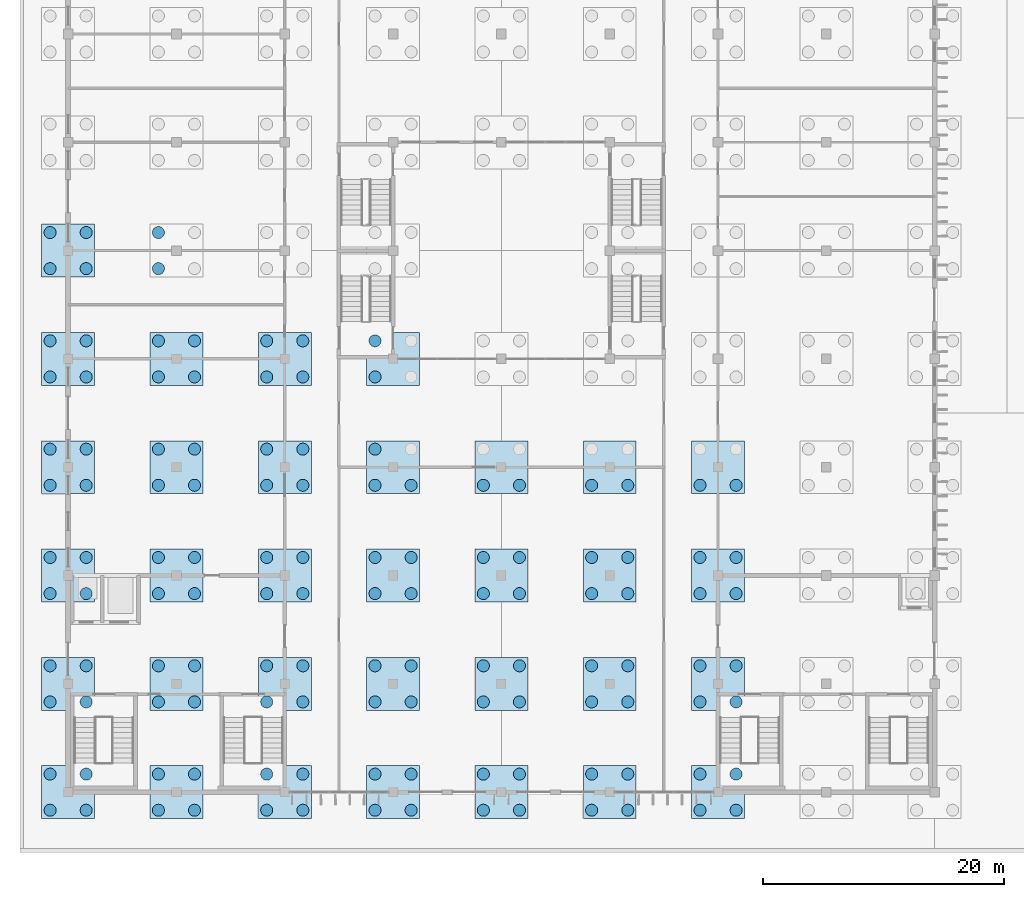
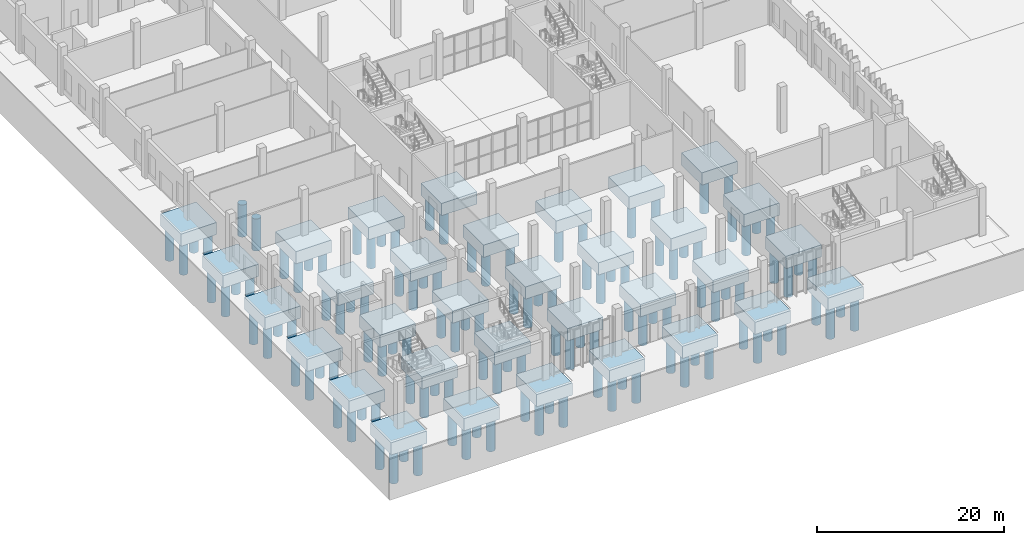
# One storey, part 1 of 198: 125 piles, 33 footings.
"""IFC4 building model written with IfcOpenShell, lengths in metres."""

from ifc_helpers import new_model, si_unit, direction, frame, origin, origin_2d, place, context, subcontext, project, spatial, polyline, circle, outline, extrude, material, layer, layer_set, material_profile, profile_set, type_object, element, save


model = new_model("IFC4")

# Units and contexts
model_context = context("Model", 3, precision=1e-05, world=origin(), true_north=direction((0.0, 1.0)))
body_context = subcontext(model_context, "Body", "Model", "MODEL_VIEW")
ifc_project = project(units=[si_unit("LENGTHUNIT", "METRE"), si_unit("AREAUNIT", "SQUARE_METRE"), si_unit("VOLUMEUNIT", "CUBIC_METRE"), si_unit("PLANEANGLEUNIT", "RADIAN"), si_unit("MASSUNIT", "GRAM", prefix="KILO")], contexts=[model_context])

# Site, building, storey
site_placement = place(None, origin())
site = spatial("IfcSite", under=ifc_project, at=site_placement, CompositionType="ELEMENT")
building_placement = place(site_placement, origin())
building = spatial("IfcBuilding", under=site, at=building_placement, Name="Opaline Strait Convention Centre", CompositionType="ELEMENT")
storey_placement = place(building_placement, origin())
storey = spatial("IfcBuildingStorey", under=building, at=storey_placement, Name="L00", CompositionType="ELEMENT", Elevation=0.0)

# Piles
ifc_material = material(Name="Concrete C35", Category="concrete")
ifc_material_profile = material_profile(ifc_material, circle(Radius=0.5, at=origin_2d()), Name="D1000")
ifc_profile_set = profile_set([ifc_material_profile], Name="Concrete C35")
pile_type = type_object("IfcPileType", Name="Bored pile D1000 L4.2 C35", PredefinedType="BORED", material=ifc_profile_set)
for number, where, z_axis, x_axis, name in (
    (1, (7.5, 7.5, -1.800048828125), (0.0, 0.0, -1.0), (1.0, 0.0, 0.0), "RPL1 pile 1 of cap at 9/9"),
    (2, (7.5, 10.5, -1.800048828125), (0.0, 0.0, -1.0), (1.0, 0.0, 0.0), "RPL1 pile 2 of cap at 9/9"),
    (3, (10.5, 7.5, -1.800048828125), (0.0, 0.0, -1.0), (1.0, 0.0, 0.0), "RPL1 pile 3 of cap at 9/9"),
    (4, (10.5, 10.5, -1.800048828125), (0.0, 0.0, -1.0), (1.0, 0.0, 0.0), "RPL1 pile 4 of cap at 9/9"),
    (5, (7.5, 16.5, -1.800048828125), (0.0, 0.0, -1.0), (1.0, 0.0, 0.0), "RPL1 pile 1 of cap at 9/18"),
    (6, (7.5, 19.5, -1.800048828125), (0.0, 0.0, -1.0), (1.0, 0.0, 0.0), "RPL1 pile 2 of cap at 9/18"),
    (7, (10.5, 16.5, -1.800048828125), (0.0, 0.0, -1.0), (1.0, 0.0, 0.0), "RPL1 pile 3 of cap at 9/18"),
    (8, (10.5, 19.5, -1.800048828125), (0.0, 0.0, -1.0), (1.0, 0.0, 0.0), "RPL1 pile 4 of cap at 9/18"),
    (9, (7.5, 25.5, -1.800048828125), (0.0, 0.0, -1.0), (1.0, 0.0, 0.0), "RPL1 pile 1 of cap at 9/27"),
    (10, (7.5, 28.5, -1.800048828125), (0.0, 0.0, -1.0), (1.0, 0.0, 0.0), "RPL1 pile 2 of cap at 9/27"),
    (11, (10.5, 25.5, -1.800048828125), (0.0, 0.0, -1.0), (1.0, 0.0, 0.0), "RPL1 pile 3 of cap at 9/27"),
    (12, (10.5, 28.5, -1.800048828125), (0.0, 0.0, -1.0), (1.0, 0.0, 0.0), "RPL1 pile 4 of cap at 9/27"),
    (13, (7.5, 34.5, -1.800048828125), (0.0, 0.0, -1.0), (1.0, 0.0, 0.0), "RPL1 pile 1 of cap at 9/36"),
    (14, (7.5, 37.5, -1.800048828125), (0.0, 0.0, -1.0), (1.0, 0.0, 0.0), "RPL1 pile 2 of cap at 9/36"),
    (15, (10.5, 34.5, -1.800048828125), (0.0, 0.0, -1.0), (1.0, 0.0, 0.0), "RPL1 pile 3 of cap at 9/36"),
    (16, (10.5, 37.5, -1.800048828125), (0.0, 0.0, -1.0), (1.0, 0.0, 0.0), "RPL1 pile 4 of cap at 9/36"),
    (17, (7.5, 43.5, -1.800048828125), (0.0, 0.0, -1.0), (1.0, 0.0, 0.0), "RPL1 pile 1 of cap at 9/45"),
    (18, (7.5, 46.5, -1.800048828125), (0.0, 0.0, -1.0), (1.0, 0.0, 0.0), "RPL1 pile 2 of cap at 9/45"),
    (19, (10.5, 43.5, -1.800048828125), (0.0, 0.0, -1.0), (1.0, 0.0, 0.0), "RPL1 pile 3 of cap at 9/45"),
    (20, (10.5, 46.5, -1.800048828125), (0.0, 0.0, -1.0), (1.0, 0.0, 0.0), "RPL1 pile 4 of cap at 9/45"),
    (21, (7.5, 52.5, -1.800048828125), (0.0, 0.0, -1.0), (1.0, 0.0, 0.0), "RPL1 pile 1 of cap at 9/54"),
    (22, (7.5, 55.5, -1.800048828125), (0.0, 0.0, -1.0), (1.0, 0.0, 0.0), "RPL1 pile 2 of cap at 9/54"),
    (23, (10.5, 52.5, -1.800048828125), (0.0, 0.0, -1.0), (1.0, 0.0, 0.0), "RPL1 pile 3 of cap at 9/54"),
    (24, (10.5, 55.5, -1.800048828125), (0.0, 0.0, -1.0), (1.0, 0.0, 0.0), "RPL1 pile 4 of cap at 9/54"),
    (25, (16.5, 7.5, -1.800048828125), (0.0, 0.0, -1.0), (1.0, 0.0, 0.0), "RPL1 pile 1 of cap at 18/9"),
    (26, (16.5, 10.5, -1.800048828125), (0.0, 0.0, -1.0), (1.0, 0.0, 0.0), "RPL1 pile 2 of cap at 18/9"),
    (27, (19.5, 7.5, -1.800048828125), (0.0, 0.0, -1.0), (1.0, 0.0, 0.0), "RPL1 pile 3 of cap at 18/9"),
    (28, (19.5, 10.5, -1.800048828125), (0.0, 0.0, -1.0), (1.0, 0.0, 0.0), "RPL1 pile 4 of cap at 18/9"),
    (29, (16.5, 16.5, -1.800048828125), (0.0, 0.0, -1.0), (1.0, 0.0, 0.0), "RPL1 pile 1 of cap at 18/18"),
    (30, (16.5, 19.5, -1.800048828125), (0.0, 0.0, -1.0), (1.0, 0.0, 0.0), "RPL1 pile 2 of cap at 18/18"),
    (31, (19.5, 16.5, -1.800048828125), (0.0, 0.0, -1.0), (1.0, 0.0, 0.0), "RPL1 pile 3 of cap at 18/18"),
    (32, (19.5, 19.5, -1.800048828125), (0.0, 0.0, -1.0), (1.0, 0.0, 0.0), "RPL1 pile 4 of cap at 18/18"),
    (33, (16.5, 25.5, -1.800048828125), (0.0, 0.0, -1.0), (1.0, 0.0, 0.0), "RPL1 pile 1 of cap at 18/27"),
    (34, (16.5, 28.5, -1.800048828125), (0.0, 0.0, -1.0), (1.0, 0.0, 0.0), "RPL1 pile 2 of cap at 18/27"),
    (35, (19.5, 25.5, -1.800048828125), (0.0, 0.0, -1.0), (1.0, 0.0, 0.0), "RPL1 pile 3 of cap at 18/27"),
    (36, (19.5, 28.5, -1.800048828125), (0.0, 0.0, -1.0), (1.0, 0.0, 0.0), "RPL1 pile 4 of cap at 18/27"),
    (37, (16.5, 34.5, -1.800048828125), (0.0, 0.0, -1.0), (1.0, 0.0, 0.0), "RPL1 pile 1 of cap at 18/36"),
    (38, (16.5, 37.5, -1.800048828125), (0.0, 0.0, -1.0), (1.0, 0.0, 0.0), "RPL1 pile 2 of cap at 18/36"),
    (39, (19.5, 34.5, -1.800048828125), (0.0, 0.0, -1.0), (1.0, 0.0, 0.0), "RPL1 pile 3 of cap at 18/36"),
    (40, (19.5, 37.5, -1.800048828125), (0.0, 0.0, -1.0), (1.0, 0.0, 0.0), "RPL1 pile 4 of cap at 18/36"),
    (41, (16.5, 43.5, -1.800048828125), (0.0, 0.0, -1.0), (1.0, 0.0, 0.0), "RPL1 pile 1 of cap at 18/45"),
    (42, (16.5, 46.5, -1.800048828125), (0.0, 0.0, -1.0), (1.0, 0.0, 0.0), "RPL1 pile 2 of cap at 18/45"),
    (43, (19.5, 43.5, -1.800048828125), (0.0, 0.0, -1.0), (1.0, 0.0, 0.0), "RPL1 pile 3 of cap at 18/45"),
    (44, (19.5, 46.5, -1.800048828125), (0.0, 0.0, -1.0), (1.0, 0.0, 0.0), "RPL1 pile 4 of cap at 18/45"),
    (45, (16.5, 52.5, -1.800048828125), (0.0, 0.0, -1.0), (1.0, 0.0, 0.0), "RPL1 pile 1 of cap at 18/54"),
    (46, (16.5, 55.5, -1.800048828125), (0.0, 0.0, -1.0), (1.0, 0.0, 0.0), "RPL1 pile 2 of cap at 18/54"),
    (47, (25.5, 7.5, -1.800048828125), (0.0, 0.0, -1.0), (1.0, 0.0, 0.0), "RPL1 pile 1 of cap at 27/9"),
    (48, (25.5, 10.5, -1.800048828125), (0.0, 0.0, -1.0), (1.0, 0.0, 0.0), "RPL1 pile 2 of cap at 27/9"),
    (49, (28.5, 7.5, -1.800048828125), (0.0, 0.0, -1.0), (1.0, 0.0, 0.0), "RPL1 pile 3 of cap at 27/9"),
    (50, (28.5, 10.5, -1.800048828125), (0.0, 0.0, -1.0), (1.0, 0.0, 0.0), "RPL1 pile 4 of cap at 27/9"),
    (51, (25.5, 16.5, -1.800048828125), (0.0, 0.0, -1.0), (1.0, 0.0, 0.0), "RPL1 pile 1 of cap at 27/18"),
    (52, (25.5, 19.5, -1.800048828125), (0.0, 0.0, -1.0), (1.0, 0.0, 0.0), "RPL1 pile 2 of cap at 27/18"),
    (53, (28.5, 16.5, -1.800048828125), (0.0, 0.0, -1.0), (1.0, 0.0, 0.0), "RPL1 pile 3 of cap at 27/18"),
    (54, (28.5, 19.5, -1.800048828125), (0.0, 0.0, -1.0), (1.0, 0.0, 0.0), "RPL1 pile 4 of cap at 27/18"),
    (55, (25.5, 25.5, -1.800048828125), (0.0, 0.0, -1.0), (1.0, 0.0, 0.0), "RPL1 pile 1 of cap at 27/27"),
    (56, (25.5, 28.5, -1.800048828125), (0.0, 0.0, -1.0), (1.0, 0.0, 0.0), "RPL1 pile 2 of cap at 27/27"),
    (57, (28.5, 25.5, -1.800048828125), (0.0, 0.0, -1.0), (1.0, 0.0, 0.0), "RPL1 pile 3 of cap at 27/27"),
    (58, (28.5, 28.5, -1.800048828125), (0.0, 0.0, -1.0), (1.0, 0.0, 0.0), "RPL1 pile 4 of cap at 27/27"),
    (59, (25.5, 34.5, -1.800048828125), (0.0, 0.0, -1.0), (1.0, 0.0, 0.0), "RPL1 pile 1 of cap at 27/36"),
    (60, (25.5, 37.5, -1.800048828125), (0.0, 0.0, -1.0), (1.0, 0.0, 0.0), "RPL1 pile 2 of cap at 27/36"),
    (61, (28.5, 34.5, -1.800048828125), (0.0, 0.0, -1.0), (1.0, 0.0, 0.0), "RPL1 pile 3 of cap at 27/36"),
    (62, (28.5, 37.5, -1.800048828125), (0.0, 0.0, -1.0), (1.0, 0.0, 0.0), "RPL1 pile 4 of cap at 27/36"),
    (63, (25.5, 43.5, -1.800048828125), (0.0, 0.0, -1.0), (1.0, 0.0, 0.0), "RPL1 pile 1 of cap at 27/45"),
    (64, (25.5, 46.5, -1.800048828125), (0.0, 0.0, -1.0), (1.0, 0.0, 0.0), "RPL1 pile 2 of cap at 27/45"),
    (65, (28.5, 43.5, -1.800048828125), (0.0, 0.0, -1.0), (1.0, 0.0, 0.0), "RPL1 pile 3 of cap at 27/45"),
    (66, (28.5, 46.5, -1.800048828125), (0.0, 0.0, -1.0), (1.0, 0.0, 0.0), "RPL1 pile 4 of cap at 27/45"),
    (67, (34.5, 7.5, -1.800048828125), (0.0, 0.0, -1.0), (1.0, 0.0, 0.0), "RPL1 pile 1 of cap at 36/9"),
    (68, (34.5, 10.5, -1.800048828125), (0.0, 0.0, -1.0), (1.0, 0.0, 0.0), "RPL1 pile 2 of cap at 36/9"),
    (69, (37.5, 7.5, -1.800048828125), (0.0, 0.0, -1.0), (1.0, 0.0, 0.0), "RPL1 pile 3 of cap at 36/9"),
    (70, (37.5, 10.5, -1.800048828125), (0.0, 0.0, -1.0), (1.0, 0.0, 0.0), "RPL1 pile 4 of cap at 36/9"),
    (71, (34.5, 16.5, -1.800048828125), (0.0, 0.0, -1.0), (1.0, 0.0, 0.0), "RPL1 pile 1 of cap at 36/18"),
    (72, (34.5, 19.5, -1.800048828125), (0.0, 0.0, -1.0), (1.0, 0.0, 0.0), "RPL1 pile 2 of cap at 36/18"),
    (73, (37.5, 16.5, -1.800048828125), (0.0, 0.0, -1.0), (1.0, 0.0, 0.0), "RPL1 pile 3 of cap at 36/18"),
    (74, (37.5, 19.5, -1.800048828125), (0.0, 0.0, -1.0), (1.0, 0.0, 0.0), "RPL1 pile 4 of cap at 36/18"),
    (75, (34.5, 25.5, -1.800048828125), (0.0, 0.0, -1.0), (1.0, 0.0, 0.0), "RPL1 pile 1 of cap at 36/27"),
    (76, (34.5, 28.5, -1.800048828125), (0.0, 0.0, -1.0), (1.0, 0.0, 0.0), "RPL1 pile 2 of cap at 36/27"),
    (77, (37.5, 25.5, -1.800048828125), (0.0, 0.0, -1.0), (1.0, 0.0, 0.0), "RPL1 pile 3 of cap at 36/27"),
    (78, (37.5, 28.5, -1.800048828125), (0.0, 0.0, -1.0), (1.0, 0.0, 0.0), "RPL1 pile 4 of cap at 36/27"),
    (79, (34.5, 34.5, -1.800048828125), (0.0, 0.0, -1.0), (1.0, 0.0, 0.0), "RPL1 pile 1 of cap at 36/36"),
    (80, (34.5, 37.5, -1.800048828125), (0.0, 0.0, -1.0), (1.0, 0.0, 0.0), "RPL1 pile 2 of cap at 36/36"),
    (81, (37.5, 34.5, -1.800048828125), (0.0, 0.0, -1.0), (1.0, 0.0, 0.0), "RPL1 pile 3 of cap at 36/36"),
    (82, (34.5, 43.5, -1.800048828125), (0.0, 0.0, -1.0), (1.0, 0.0, 0.0), "RPL1 pile 1 of cap at 36/45"),
    (83, (34.5, 46.5, -1.800048828125), (0.0, 0.0, -1.0), (1.0, 0.0, 0.0), "RPL1 pile 2 of cap at 36/45"),
    (84, (43.5, 7.5, -1.800048828125), (0.0, 0.0, -1.0), (1.0, 0.0, 0.0), "RPL1 pile 1 of cap at 45/9"),
    (85, (43.5, 10.5, -1.800048828125), (0.0, 0.0, -1.0), (1.0, 0.0, 0.0), "RPL1 pile 2 of cap at 45/9"),
    (86, (46.5, 7.5, -1.800048828125), (0.0, 0.0, -1.0), (1.0, 0.0, 0.0), "RPL1 pile 3 of cap at 45/9"),
    (87, (46.5, 10.5, -1.800048828125), (0.0, 0.0, -1.0), (1.0, 0.0, 0.0), "RPL1 pile 4 of cap at 45/9"),
    (88, (43.5, 16.5, -1.800048828125), (0.0, 0.0, -1.0), (1.0, 0.0, 0.0), "RPL1 pile 1 of cap at 45/18"),
    (89, (43.5, 19.5, -1.800048828125), (0.0, 0.0, -1.0), (1.0, 0.0, 0.0), "RPL1 pile 2 of cap at 45/18"),
    (90, (46.5, 16.5, -1.800048828125), (0.0, 0.0, -1.0), (1.0, 0.0, 0.0), "RPL1 pile 3 of cap at 45/18"),
    (91, (46.5, 19.5, -1.800048828125), (0.0, 0.0, -1.0), (1.0, 0.0, 0.0), "RPL1 pile 4 of cap at 45/18"),
    (92, (43.5, 25.5, -1.800048828125), (0.0, 0.0, -1.0), (1.0, 0.0, 0.0), "RPL1 pile 1 of cap at 45/27"),
    (93, (43.5, 28.5, -1.800048828125), (0.0, 0.0, -1.0), (1.0, 0.0, 0.0), "RPL1 pile 2 of cap at 45/27"),
    (94, (46.5, 25.5, -1.800048828125), (0.0, 0.0, -1.0), (1.0, 0.0, 0.0), "RPL1 pile 3 of cap at 45/27"),
    (95, (46.5, 28.5, -1.800048828125), (0.0, 0.0, -1.0), (1.0, 0.0, 0.0), "RPL1 pile 4 of cap at 45/27"),
    (96, (43.5, 34.5, -1.800048828125), (0.0, 0.0, -1.0), (1.0, 0.0, 0.0), "RPL1 pile 1 of cap at 45/36"),
    (97, (46.5, 34.5, -1.800048828125), (0.0, 0.0, -1.0), (1.0, 0.0, 0.0), "RPL1 pile 3 of cap at 45/36"),
    (98, (52.5, 7.5, -1.800048828125), (0.0, 0.0, -1.0), (1.0, 0.0, 0.0), "RPL1 pile 1 of cap at 54/9"),
    (99, (52.5, 10.5, -1.800048828125), (0.0, 0.0, -1.0), (1.0, 0.0, 0.0), "RPL1 pile 2 of cap at 54/9"),
    (100, (55.5, 7.5, -1.800048828125), (0.0, 0.0, -1.0), (1.0, 0.0, 0.0), "RPL1 pile 3 of cap at 54/9"),
    (101, (55.5, 10.5, -1.800048828125), (0.0, 0.0, -1.0), (1.0, 0.0, 0.0), "RPL1 pile 4 of cap at 54/9"),
    (102, (52.5, 16.5, -1.800048828125), (0.0, 0.0, -1.0), (1.0, 0.0, 0.0), "RPL1 pile 1 of cap at 54/18"),
    (103, (52.5, 19.5, -1.800048828125), (0.0, 0.0, -1.0), (1.0, 0.0, 0.0), "RPL1 pile 2 of cap at 54/18"),
    (104, (55.5, 16.5, -1.800048828125), (0.0, 0.0, -1.0), (1.0, 0.0, 0.0), "RPL1 pile 3 of cap at 54/18"),
    (105, (55.5, 19.5, -1.800048828125), (0.0, 0.0, -1.0), (1.0, 0.0, 0.0), "RPL1 pile 4 of cap at 54/18"),
    (106, (52.5, 25.5, -1.800048828125), (0.0, 0.0, -1.0), (1.0, 0.0, 0.0), "RPL1 pile 1 of cap at 54/27"),
    (107, (52.5, 28.5, -1.800048828125), (0.0, 0.0, -1.0), (1.0, 0.0, 0.0), "RPL1 pile 2 of cap at 54/27"),
    (108, (55.5, 25.5, -1.800048828125), (0.0, 0.0, -1.0), (1.0, 0.0, 0.0), "RPL1 pile 3 of cap at 54/27"),
    (109, (55.5, 28.5, -1.800048828125), (0.0, 0.0, -1.0), (1.0, 0.0, 0.0), "RPL1 pile 4 of cap at 54/27"),
    (110, (52.5, 34.5, -1.800048828125), (0.0, 0.0, -1.0), (1.0, 0.0, 0.0), "RPL1 pile 1 of cap at 54/36"),
    (111, (55.5, 34.5, -1.800048828125), (0.0, 0.0, -1.0), (1.0, 0.0, 0.0), "RPL1 pile 3 of cap at 54/36"),
    (112, (61.5, 7.5, -1.800048828125), (0.0, 0.0, -1.0), (1.0, 0.0, 0.0), "RPL1 pile 1 of cap at 63/9"),
    (113, (61.5, 10.5, -1.800048828125), (0.0, 0.0, -1.0), (1.0, 0.0, 0.0), "RPL1 pile 2 of cap at 63/9"),
    (114, (64.5, 7.5, -1.800048828125), (0.0, 0.0, -1.0), (1.0, 0.0, 0.0), "RPL1 pile 3 of cap at 63/9"),
    (115, (64.5, 10.5, -1.800048828125), (0.0, 0.0, -1.0), (1.0, 0.0, 0.0), "RPL1 pile 4 of cap at 63/9"),
    (116, (61.5, 16.5, -1.800048828125), (0.0, 0.0, -1.0), (1.0, 0.0, 0.0), "RPL1 pile 1 of cap at 63/18"),
    (117, (61.5, 19.5, -1.800048828125), (0.0, 0.0, -1.0), (1.0, 0.0, 0.0), "RPL1 pile 2 of cap at 63/18"),
    (118, (64.5, 16.5, -1.800048828125), (0.0, 0.0, -1.0), (1.0, 0.0, 0.0), "RPL1 pile 3 of cap at 63/18"),
    (119, (64.5, 19.5, -1.800048828125), (0.0, 0.0, -1.0), (1.0, 0.0, 0.0), "RPL1 pile 4 of cap at 63/18"),
    (120, (61.5, 25.5, -1.800048828125), (0.0, 0.0, -1.0), (1.0, 0.0, 0.0), "RPL1 pile 1 of cap at 63/27"),
    (121, (61.5, 28.5, -1.800048828125), (0.0, 0.0, -1.0), (1.0, 0.0, 0.0), "RPL1 pile 2 of cap at 63/27"),
    (122, (64.5, 25.5, -1.800048828125), (0.0, 0.0, -1.0), (1.0, 0.0, 0.0), "RPL1 pile 3 of cap at 63/27"),
    (123, (64.5, 28.5, -1.800048828125), (0.0, 0.0, -1.0), (1.0, 0.0, 0.0), "RPL1 pile 4 of cap at 63/27"),
    (124, (61.5, 34.5, -1.800048828125), (0.0, 0.0, -1.0), (1.0, 0.0, 0.0), "RPL1 pile 1 of cap at 63/36"),
    (125, (64.5, 34.5, -1.800048828125), (0.0, 0.0, -1.0), (1.0, 0.0, 0.0), "RPL1 pile 3 of cap at 63/36"),
):
    element("IfcPile", number, at=place(storey_placement, frame(where, z_axis=z_axis, x_axis=x_axis)), inside=storey, type_object=pile_type, Name=name, PredefinedType="BORED", context=body_context, shape_type="SweptSolid", body=[
        extrude(circle(Radius=0.5, at=origin_2d()), origin(), (0.0, 0.0, 1.0), 4.199951171875),
    ])

# Footings
ifc_layer = layer(ifc_material, 1.60009765625)
ifc_layer_set = layer_set([ifc_layer], Name="Concrete C35")
footing_type = type_object("IfcFootingType", Name="Pile cap 4400 x 4400 x 1600 C35", PredefinedType="PILE_CAP", material=ifc_layer_set)
footing_1_placement = place(storey_placement, frame((0.0, 0.0, -1.89990234375)))
element("IfcFooting", 126, at=footing_1_placement, inside=storey, type_object=footing_type, Name="RPC1 pile cap at 9/9", PredefinedType="PILE_CAP", context=body_context, shape_type="SweptSolid", body=[
    extrude(outline(polyline([(6.800048828125, 6.800048828125), (11.199951171875, 6.800048828125), (11.199951171875, 11.199951171875), (6.800048828125, 11.199951171875), (6.800048828125, 6.800048828125)])), origin(), (0.0, 0.0, 1.0), 1.599853515625),
])
footing_2_placement = place(storey_placement, frame((0.0, 0.0, -1.89990234375)))
element("IfcFooting", 127, at=footing_2_placement, inside=storey, type_object=footing_type, Name="RPC1 pile cap at 9/18", PredefinedType="PILE_CAP", context=body_context, shape_type="SweptSolid", body=[
    extrude(outline(polyline([(6.800048828125, 15.800048828125), (11.199951171875, 15.800048828125), (11.199951171875, 20.199951171875), (6.800048828125, 20.199951171875), (6.800048828125, 15.800048828125)])), origin(), (0.0, 0.0, 1.0), 1.599853515625),
])
footing_3_placement = place(storey_placement, frame((0.0, 0.0, -1.89990234375)))
element("IfcFooting", 128, at=footing_3_placement, inside=storey, type_object=footing_type, Name="RPC1 pile cap at 9/27", PredefinedType="PILE_CAP", context=body_context, shape_type="SweptSolid", body=[
    extrude(outline(polyline([(6.800048828125, 24.800048828125), (11.199951171875, 24.800048828125), (11.199951171875, 29.199951171875), (6.800048828125, 29.199951171875), (6.800048828125, 24.800048828125)])), origin(), (0.0, 0.0, 1.0), 1.599853515625),
])
footing_4_placement = place(storey_placement, frame((0.0, 0.0, -1.89990234375)))
element("IfcFooting", 129, at=footing_4_placement, inside=storey, type_object=footing_type, Name="RPC1 pile cap at 9/36", PredefinedType="PILE_CAP", context=body_context, shape_type="SweptSolid", body=[
    extrude(outline(polyline([(6.800048828125, 33.800048828125), (11.199951171875, 33.800048828125), (11.199951171875, 38.199951171875), (6.800048828125, 38.199951171875), (6.800048828125, 33.800048828125)])), origin(), (0.0, 0.0, 1.0), 1.599853515625),
])
footing_5_placement = place(storey_placement, frame((0.0, 0.0, -1.89990234375)))
element("IfcFooting", 130, at=footing_5_placement, inside=storey, type_object=footing_type, Name="RPC1 pile cap at 9/45", PredefinedType="PILE_CAP", context=body_context, shape_type="SweptSolid", body=[
    extrude(outline(polyline([(6.800048828125, 42.800048828125), (11.199951171875, 42.800048828125), (11.199951171875, 47.199951171875), (6.800048828125, 47.199951171875), (6.800048828125, 42.800048828125)])), origin(), (0.0, 0.0, 1.0), 1.599853515625),
])
footing_6_placement = place(storey_placement, frame((0.0, 0.0, -1.89990234375)))
element("IfcFooting", 131, at=footing_6_placement, inside=storey, type_object=footing_type, Name="RPC1 pile cap at 9/54", PredefinedType="PILE_CAP", context=body_context, shape_type="SweptSolid", body=[
    extrude(outline(polyline([(6.800048828125, 51.800048828125), (11.199951171875, 51.800048828125), (11.199951171875, 56.199951171875), (6.800048828125, 56.199951171875), (6.800048828125, 51.800048828125)])), origin(), (0.0, 0.0, 1.0), 1.599853515625),
])
footing_7_placement = place(storey_placement, frame((0.0, 0.0, -1.89990234375)))
element("IfcFooting", 132, at=footing_7_placement, inside=storey, type_object=footing_type, Name="RPC1 pile cap at 18/9", PredefinedType="PILE_CAP", context=body_context, shape_type="SweptSolid", body=[
    extrude(outline(polyline([(15.800048828125, 6.800048828125), (20.199951171875, 6.800048828125), (20.199951171875, 11.199951171875), (15.800048828125, 11.199951171875), (15.800048828125, 6.800048828125)])), origin(), (0.0, 0.0, 1.0), 1.599853515625),
])
footing_8_placement = place(storey_placement, frame((0.0, 0.0, -1.89990234375)))
element("IfcFooting", 133, at=footing_8_placement, inside=storey, type_object=footing_type, Name="RPC1 pile cap at 18/18", PredefinedType="PILE_CAP", context=body_context, shape_type="SweptSolid", body=[
    extrude(outline(polyline([(15.800048828125, 15.800048828125), (20.199951171875, 15.800048828125), (20.199951171875, 20.199951171875), (15.800048828125, 20.199951171875), (15.800048828125, 15.800048828125)])), origin(), (0.0, 0.0, 1.0), 1.599853515625),
])
footing_9_placement = place(storey_placement, frame((0.0, 0.0, -1.89990234375)))
element("IfcFooting", 134, at=footing_9_placement, inside=storey, type_object=footing_type, Name="RPC1 pile cap at 18/27", PredefinedType="PILE_CAP", context=body_context, shape_type="SweptSolid", body=[
    extrude(outline(polyline([(15.800048828125, 24.800048828125), (20.199951171875, 24.800048828125), (20.199951171875, 29.199951171875), (15.800048828125, 29.199951171875), (15.800048828125, 24.800048828125)])), origin(), (0.0, 0.0, 1.0), 1.599853515625),
])
footing_10_placement = place(storey_placement, frame((0.0, 0.0, -1.89990234375)))
element("IfcFooting", 135, at=footing_10_placement, inside=storey, type_object=footing_type, Name="RPC1 pile cap at 18/36", PredefinedType="PILE_CAP", context=body_context, shape_type="SweptSolid", body=[
    extrude(outline(polyline([(15.800048828125, 33.800048828125), (20.199951171875, 33.800048828125), (20.199951171875, 38.199951171875), (15.800048828125, 38.199951171875), (15.800048828125, 33.800048828125)])), origin(), (0.0, 0.0, 1.0), 1.599853515625),
])
footing_11_placement = place(storey_placement, frame((0.0, 0.0, -1.89990234375)))
element("IfcFooting", 136, at=footing_11_placement, inside=storey, type_object=footing_type, Name="RPC1 pile cap at 18/45", PredefinedType="PILE_CAP", context=body_context, shape_type="SweptSolid", body=[
    extrude(outline(polyline([(15.800048828125, 42.800048828125), (20.199951171875, 42.800048828125), (20.199951171875, 47.199951171875), (15.800048828125, 47.199951171875), (15.800048828125, 42.800048828125)])), origin(), (0.0, 0.0, 1.0), 1.599853515625),
])
footing_12_placement = place(storey_placement, frame((0.0, 0.0, -1.89990234375)))
element("IfcFooting", 137, at=footing_12_placement, inside=storey, type_object=footing_type, Name="RPC1 pile cap at 27/9", PredefinedType="PILE_CAP", context=body_context, shape_type="SweptSolid", body=[
    extrude(outline(polyline([(24.800048828125, 6.800048828125), (29.199951171875, 6.800048828125), (29.199951171875, 11.199951171875), (24.800048828125, 11.199951171875), (24.800048828125, 6.800048828125)])), origin(), (0.0, 0.0, 1.0), 1.599853515625),
])
footing_13_placement = place(storey_placement, frame((0.0, 0.0, -1.89990234375)))
element("IfcFooting", 138, at=footing_13_placement, inside=storey, type_object=footing_type, Name="RPC1 pile cap at 27/18", PredefinedType="PILE_CAP", context=body_context, shape_type="SweptSolid", body=[
    extrude(outline(polyline([(24.800048828125, 15.800048828125), (29.199951171875, 15.800048828125), (29.199951171875, 20.199951171875), (24.800048828125, 20.199951171875), (24.800048828125, 15.800048828125)])), origin(), (0.0, 0.0, 1.0), 1.599853515625),
])
footing_14_placement = place(storey_placement, frame((0.0, 0.0, -1.89990234375)))
element("IfcFooting", 139, at=footing_14_placement, inside=storey, type_object=footing_type, Name="RPC1 pile cap at 27/27", PredefinedType="PILE_CAP", context=body_context, shape_type="SweptSolid", body=[
    extrude(outline(polyline([(24.800048828125, 24.800048828125), (29.199951171875, 24.800048828125), (29.199951171875, 29.199951171875), (24.800048828125, 29.199951171875), (24.800048828125, 24.800048828125)])), origin(), (0.0, 0.0, 1.0), 1.599853515625),
])
footing_15_placement = place(storey_placement, frame((0.0, 0.0, -1.89990234375)))
element("IfcFooting", 140, at=footing_15_placement, inside=storey, type_object=footing_type, Name="RPC1 pile cap at 27/36", PredefinedType="PILE_CAP", context=body_context, shape_type="SweptSolid", body=[
    extrude(outline(polyline([(24.800048828125, 33.800048828125), (29.199951171875, 33.800048828125), (29.199951171875, 38.199951171875), (24.800048828125, 38.199951171875), (24.800048828125, 33.800048828125)])), origin(), (0.0, 0.0, 1.0), 1.599853515625),
])
footing_16_placement = place(storey_placement, frame((0.0, 0.0, -1.89990234375)))
element("IfcFooting", 141, at=footing_16_placement, inside=storey, type_object=footing_type, Name="RPC1 pile cap at 27/45", PredefinedType="PILE_CAP", context=body_context, shape_type="SweptSolid", body=[
    extrude(outline(polyline([(24.800048828125, 42.800048828125), (29.199951171875, 42.800048828125), (29.199951171875, 47.199951171875), (24.800048828125, 47.199951171875), (24.800048828125, 42.800048828125)])), origin(), (0.0, 0.0, 1.0), 1.599853515625),
])
footing_17_placement = place(storey_placement, frame((0.0, 0.0, -1.89990234375)))
element("IfcFooting", 142, at=footing_17_placement, inside=storey, type_object=footing_type, Name="RPC1 pile cap at 36/9", PredefinedType="PILE_CAP", context=body_context, shape_type="SweptSolid", body=[
    extrude(outline(polyline([(33.800048828125, 6.800048828125), (38.199951171875, 6.800048828125), (38.199951171875, 11.199951171875), (33.800048828125, 11.199951171875), (33.800048828125, 6.800048828125)])), origin(), (0.0, 0.0, 1.0), 1.599853515625),
])
footing_18_placement = place(storey_placement, frame((0.0, 0.0, -1.89990234375)))
element("IfcFooting", 143, at=footing_18_placement, inside=storey, type_object=footing_type, Name="RPC1 pile cap at 36/18", PredefinedType="PILE_CAP", context=body_context, shape_type="SweptSolid", body=[
    extrude(outline(polyline([(33.800048828125, 15.800048828125), (38.199951171875, 15.800048828125), (38.199951171875, 20.199951171875), (33.800048828125, 20.199951171875), (33.800048828125, 15.800048828125)])), origin(), (0.0, 0.0, 1.0), 1.599853515625),
])
footing_19_placement = place(storey_placement, frame((0.0, 0.0, -1.89990234375)))
element("IfcFooting", 144, at=footing_19_placement, inside=storey, type_object=footing_type, Name="RPC1 pile cap at 36/27", PredefinedType="PILE_CAP", context=body_context, shape_type="SweptSolid", body=[
    extrude(outline(polyline([(33.800048828125, 24.800048828125), (38.199951171875, 24.800048828125), (38.199951171875, 29.199951171875), (33.800048828125, 29.199951171875), (33.800048828125, 24.800048828125)])), origin(), (0.0, 0.0, 1.0), 1.599853515625),
])
footing_20_placement = place(storey_placement, frame((0.0, 0.0, -1.89990234375)))
element("IfcFooting", 145, at=footing_20_placement, inside=storey, type_object=footing_type, Name="RPC1 pile cap at 36/36", PredefinedType="PILE_CAP", context=body_context, shape_type="SweptSolid", body=[
    extrude(outline(polyline([(33.800048828125, 33.800048828125), (38.199951171875, 33.800048828125), (38.199951171875, 38.199951171875), (33.800048828125, 38.199951171875), (33.800048828125, 33.800048828125)])), origin(), (0.0, 0.0, 1.0), 1.599853515625),
])
footing_21_placement = place(storey_placement, frame((0.0, 0.0, -1.89990234375)))
element("IfcFooting", 146, at=footing_21_placement, inside=storey, type_object=footing_type, Name="RPC1 pile cap at 36/45", PredefinedType="PILE_CAP", context=body_context, shape_type="SweptSolid", body=[
    extrude(outline(polyline([(33.800048828125, 42.800048828125), (38.199951171875, 42.800048828125), (38.199951171875, 47.199951171875), (33.800048828125, 47.199951171875), (33.800048828125, 42.800048828125)])), origin(), (0.0, 0.0, 1.0), 1.599853515625),
])
footing_22_placement = place(storey_placement, frame((0.0, 0.0, -1.89990234375)))
element("IfcFooting", 147, at=footing_22_placement, inside=storey, type_object=footing_type, Name="RPC1 pile cap at 45/9", PredefinedType="PILE_CAP", context=body_context, shape_type="SweptSolid", body=[
    extrude(outline(polyline([(42.800048828125, 6.800048828125), (47.199951171875, 6.800048828125), (47.199951171875, 11.199951171875), (42.800048828125, 11.199951171875), (42.800048828125, 6.800048828125)])), origin(), (0.0, 0.0, 1.0), 1.599853515625),
])
footing_23_placement = place(storey_placement, frame((0.0, 0.0, -1.89990234375)))
element("IfcFooting", 148, at=footing_23_placement, inside=storey, type_object=footing_type, Name="RPC1 pile cap at 45/18", PredefinedType="PILE_CAP", context=body_context, shape_type="SweptSolid", body=[
    extrude(outline(polyline([(42.800048828125, 15.800048828125), (47.199951171875, 15.800048828125), (47.199951171875, 20.199951171875), (42.800048828125, 20.199951171875), (42.800048828125, 15.800048828125)])), origin(), (0.0, 0.0, 1.0), 1.599853515625),
])
footing_24_placement = place(storey_placement, frame((0.0, 0.0, -1.89990234375)))
element("IfcFooting", 149, at=footing_24_placement, inside=storey, type_object=footing_type, Name="RPC1 pile cap at 45/27", PredefinedType="PILE_CAP", context=body_context, shape_type="SweptSolid", body=[
    extrude(outline(polyline([(42.800048828125, 24.800048828125), (47.199951171875, 24.800048828125), (47.199951171875, 29.199951171875), (42.800048828125, 29.199951171875), (42.800048828125, 24.800048828125)])), origin(), (0.0, 0.0, 1.0), 1.599853515625),
])
footing_25_placement = place(storey_placement, frame((0.0, 0.0, -1.89990234375)))
element("IfcFooting", 150, at=footing_25_placement, inside=storey, type_object=footing_type, Name="RPC1 pile cap at 45/36", PredefinedType="PILE_CAP", context=body_context, shape_type="SweptSolid", body=[
    extrude(outline(polyline([(42.800048828125, 33.800048828125), (47.199951171875, 33.800048828125), (47.199951171875, 38.199951171875), (42.800048828125, 38.199951171875), (42.800048828125, 33.800048828125)])), origin(), (0.0, 0.0, 1.0), 1.599853515625),
])
footing_26_placement = place(storey_placement, frame((0.0, 0.0, -1.89990234375)))
element("IfcFooting", 151, at=footing_26_placement, inside=storey, type_object=footing_type, Name="RPC1 pile cap at 54/9", PredefinedType="PILE_CAP", context=body_context, shape_type="SweptSolid", body=[
    extrude(outline(polyline([(51.800048828125, 6.800048828125), (56.199951171875, 6.800048828125), (56.199951171875, 11.199951171875), (51.800048828125, 11.199951171875), (51.800048828125, 6.800048828125)])), origin(), (0.0, 0.0, 1.0), 1.599853515625),
])
footing_27_placement = place(storey_placement, frame((0.0, 0.0, -1.89990234375)))
element("IfcFooting", 152, at=footing_27_placement, inside=storey, type_object=footing_type, Name="RPC1 pile cap at 54/18", PredefinedType="PILE_CAP", context=body_context, shape_type="SweptSolid", body=[
    extrude(outline(polyline([(51.800048828125, 15.800048828125), (56.199951171875, 15.800048828125), (56.199951171875, 20.199951171875), (51.800048828125, 20.199951171875), (51.800048828125, 15.800048828125)])), origin(), (0.0, 0.0, 1.0), 1.599853515625),
])
footing_28_placement = place(storey_placement, frame((0.0, 0.0, -1.89990234375)))
element("IfcFooting", 153, at=footing_28_placement, inside=storey, type_object=footing_type, Name="RPC1 pile cap at 54/27", PredefinedType="PILE_CAP", context=body_context, shape_type="SweptSolid", body=[
    extrude(outline(polyline([(51.800048828125, 24.800048828125), (56.199951171875, 24.800048828125), (56.199951171875, 29.199951171875), (51.800048828125, 29.199951171875), (51.800048828125, 24.800048828125)])), origin(), (0.0, 0.0, 1.0), 1.599853515625),
])
footing_29_placement = place(storey_placement, frame((0.0, 0.0, -1.89990234375)))
element("IfcFooting", 154, at=footing_29_placement, inside=storey, type_object=footing_type, Name="RPC1 pile cap at 54/36", PredefinedType="PILE_CAP", context=body_context, shape_type="SweptSolid", body=[
    extrude(outline(polyline([(51.800048828125, 33.800048828125), (56.199951171875, 33.800048828125), (56.199951171875, 38.199951171875), (51.800048828125, 38.199951171875), (51.800048828125, 33.800048828125)])), origin(), (0.0, 0.0, 1.0), 1.599853515625),
])
footing_30_placement = place(storey_placement, frame((0.0, 0.0, -1.89990234375)))
element("IfcFooting", 155, at=footing_30_placement, inside=storey, type_object=footing_type, Name="RPC1 pile cap at 63/9", PredefinedType="PILE_CAP", context=body_context, shape_type="SweptSolid", body=[
    extrude(outline(polyline([(60.800048828125, 6.800048828125), (65.199951171875, 6.800048828125), (65.199951171875, 11.199951171875), (60.800048828125, 11.199951171875), (60.800048828125, 6.800048828125)])), origin(), (0.0, 0.0, 1.0), 1.599853515625),
])
footing_31_placement = place(storey_placement, frame((0.0, 0.0, -1.89990234375)))
element("IfcFooting", 156, at=footing_31_placement, inside=storey, type_object=footing_type, Name="RPC1 pile cap at 63/18", PredefinedType="PILE_CAP", context=body_context, shape_type="SweptSolid", body=[
    extrude(outline(polyline([(60.800048828125, 15.800048828125), (65.199951171875, 15.800048828125), (65.199951171875, 20.199951171875), (60.800048828125, 20.199951171875), (60.800048828125, 15.800048828125)])), origin(), (0.0, 0.0, 1.0), 1.599853515625),
])
footing_32_placement = place(storey_placement, frame((0.0, 0.0, -1.89990234375)))
element("IfcFooting", 157, at=footing_32_placement, inside=storey, type_object=footing_type, Name="RPC1 pile cap at 63/27", PredefinedType="PILE_CAP", context=body_context, shape_type="SweptSolid", body=[
    extrude(outline(polyline([(60.800048828125, 24.800048828125), (65.199951171875, 24.800048828125), (65.199951171875, 29.199951171875), (60.800048828125, 29.199951171875), (60.800048828125, 24.800048828125)])), origin(), (0.0, 0.0, 1.0), 1.599853515625),
])
footing_33_placement = place(storey_placement, frame((0.0, 0.0, -1.89990234375)))
element("IfcFooting", 158, at=footing_33_placement, inside=storey, type_object=footing_type, Name="RPC1 pile cap at 63/36", PredefinedType="PILE_CAP", context=body_context, shape_type="SweptSolid", body=[
    extrude(outline(polyline([(60.800048828125, 33.800048828125), (65.199951171875, 33.800048828125), (65.199951171875, 38.199951171875), (60.800048828125, 38.199951171875), (60.800048828125, 33.800048828125)])), origin(), (0.0, 0.0, 1.0), 1.599853515625),
])

save(model, "model.ifc")
